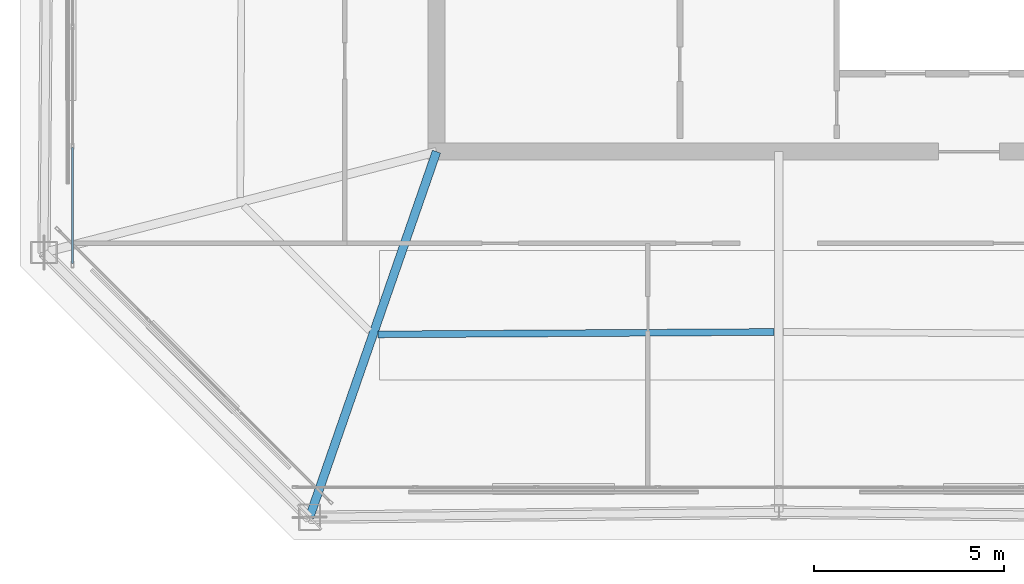
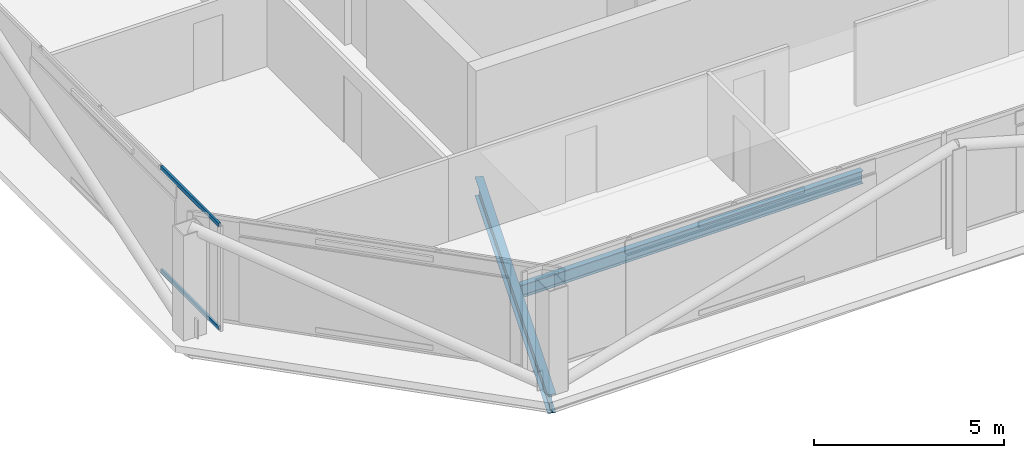
# One storey, part 4 of 26: 2 beams, 2 members, 1 element without a shape of its own.
"""IFC4 building model written with IfcOpenShell, lengths in metres."""

from ifc_helpers import new_model, si_unit, direction, frame, origin, origin_2d, place, context, subcontext, project, spatial, hollow_rectangle, i_section, extrude, material, layer, layer_set, material_profile, profile_set, type_object, element, aggregate, save


model = new_model("IFC4")

# Units and contexts
model_context = context("Model", 3, precision=1e-05, world=origin(), true_north=direction((0.0, 1.0)))
body_context = subcontext(model_context, "Body", "Model", "MODEL_VIEW")
ifc_project = project(units=[si_unit("LENGTHUNIT", "METRE"), si_unit("AREAUNIT", "SQUARE_METRE"), si_unit("VOLUMEUNIT", "CUBIC_METRE"), si_unit("PLANEANGLEUNIT", "RADIAN"), si_unit("MASSUNIT", "GRAM", prefix="KILO")], contexts=[model_context])

# Site, building, storey
site_placement = place(None, origin())
site = spatial("IfcSite", under=ifc_project, at=site_placement, CompositionType="ELEMENT")
building_placement = place(site_placement, origin())
building = spatial("IfcBuilding", under=site, at=building_placement, Name="Caelvoria Tower", CompositionType="ELEMENT")
storey_placement = place(building_placement, frame((0.0, 0.0, 239.39990234375)))
storey = spatial("IfcBuildingStorey", under=building, at=storey_placement, Name="L63", CompositionType="ELEMENT", Elevation=239.39990234375)

# Curtain wall, members
ifc_material_1 = material(Name="Anodised Bronze Aluminium and Low-E Glass", Category="aluminium")
ifc_layer = layer(ifc_material_1, 0.175048828125, Name="Anodised Bronze Aluminium and Low-E Glass")
ifc_layer_set = layer_set([ifc_layer], Name="CW System 4 High-Zone Tapered Crystal Facade - Anodised Bronze Aluminium and Low-E Glass")
curtain_wall_type = type_object("IfcCurtainWallType", Name="CW System 4 High-Zone Tapered Crystal Facade", PredefinedType="NOTDEFINED", material=ifc_layer_set)
curtain_wall_placement = place(storey_placement, origin())
curtain_wall = element("IfcCurtainWall", 1, at=curtain_wall_placement, inside=storey, type_object=curtain_wall_type, Name="CW-04 Curtain Wall L63-E6", PredefinedType="NOTDEFINED")
ifc_material_2 = material(Name="Anodised Bronze Architectural Aluminium", Category="aluminium")
ifc_material_profile_1 = material_profile(ifc_material_2, hollow_rectangle(XDim=0.06494140625, YDim=0.1298828125, WallThickness=0.00341796875, at=origin_2d()), Name="Anodised Bronze Architectural Aluminium")
ifc_profile_set_1 = profile_set([ifc_material_profile_1], Name="CW_TRAN_65X130 - Anodised Bronze Architectural Aluminium")
member_type = type_object("IfcMemberType", Name="Curtain Wall Transom 65x130 Bronze Aluminium", PredefinedType="USERDEFINED", material=ifc_profile_set_1)
member_1_placement = place(storey_placement, frame((27.429931640625, 24.1103515625, 0.03271484375), z_axis=(0.0, -1.0, 0.0), x_axis=(1.0, 0.0, 0.0)))
member_1 = element("IfcMember", 2, at=member_1_placement, type_object=member_type, Name="CW-04 transom 7.1", ObjectType="TRANSOM", PredefinedType="USERDEFINED", context=body_context, shape_type="SweptSolid", body=[
    extrude(hollow_rectangle(XDim=0.06494140625, YDim=0.1298828125, WallThickness=0.00341796875, at=origin_2d()), origin(), (0.0, 0.0, 1.0), 3.04541015625),
])
member_2_placement = place(storey_placement, frame((27.429931640625, 24.1103515625, 3.342529296875), z_axis=(0.0, -1.0, 0.0), x_axis=(1.0, 0.0, 0.0)))
member_2 = element("IfcMember", 3, at=member_2_placement, type_object=member_type, Name="CW-04 transom 7.2", ObjectType="TRANSOM", PredefinedType="USERDEFINED", context=body_context, shape_type="SweptSolid", body=[
    extrude(hollow_rectangle(XDim=0.06494140625, YDim=0.1298828125, WallThickness=0.00341796875, at=origin_2d()), origin(), (0.0, 0.0, 1.0), 3.04541015625),
])
aggregate(curtain_wall, [member_1, member_2])

# Beams
ifc_material_3 = material(Name="Structural Steel ASTM A992 Gr.50", Category="steel")
ifc_material_profile_2 = material_profile(ifc_material_3, i_section(OverallWidth=0.22802734375, OverallDepth=0.60302734375, WebThickness=0.010498046875, FlangeThickness=0.014892578125, FilletRadius=0.01806640625, at=origin_2d()), Name="Structural Steel ASTM A992 Gr.50")
ifc_profile_set_2 = profile_set([ifc_material_profile_2], Name="W610X101 - Structural Steel ASTM A992 Gr.50")
beam_type_1 = type_object("IfcBeamType", Name="Primary Floor Girder W610X101", PredefinedType="BEAM", material=ifc_profile_set_2)
beam_1_placement = place(storey_placement, frame((37.0, 24.0, -0.5263671875), z_axis=(-0.32801049917, -0.944674077359, 0.0), x_axis=(0.944674077359, -0.32801049917, 0.0)))
element("IfcBeam", 4, at=beam_1_placement, inside=storey, type_object=beam_type_1, Name="Primary Floor Girder L63-00", PredefinedType="BEAM", context=body_context, shape_type="SweptSolid", body=[
    extrude(i_section(OverallWidth=0.22802734375, OverallDepth=0.60302734375, WebThickness=0.010498046875, FlangeThickness=0.014892578125, FilletRadius=0.01806640625, at=origin_2d()), origin(), (0.0, 0.0, 1.0), 10.173095703125),
])
ifc_material_profile_3 = material_profile(ifc_material_3, i_section(OverallWidth=0.177978515625, OverallDepth=0.406982421875, WebThickness=0.0078125, FlangeThickness=0.0126953125, FilletRadius=0.013916015625, at=origin_2d()), Name="Structural Steel ASTM A992 Gr.50")
ifc_profile_set_3 = profile_set([ifc_material_profile_3], Name="W410X60 - Structural Steel ASTM A992 Gr.50")
beam_type_2 = type_object("IfcBeamType", Name="Secondary Floor Beam W410X60", PredefinedType="BEAM", material=ifc_profile_set_3)
beam_2_placement = place(storey_placement, frame((35.45654296875, 19.195556640625, -0.428466796875), z_axis=(0.999981296963, 0.006116021899, 0.0), x_axis=(-0.006116021899, 0.999981296963, 0.0)))
element("IfcBeam", 5, at=beam_2_placement, inside=storey, type_object=beam_type_2, Name="Secondary Floor Beam L63-00", PredefinedType="BEAM", context=body_context, shape_type="SweptSolid", body=[
    extrude(i_section(OverallWidth=0.177978515625, OverallDepth=0.406982421875, WebThickness=0.0078125, FlangeThickness=0.0126953125, FilletRadius=0.013916015625, at=origin_2d()), origin(), (0.0, 0.0, 1.0), 10.418701171875),
])

save(model, "model.ifc")
